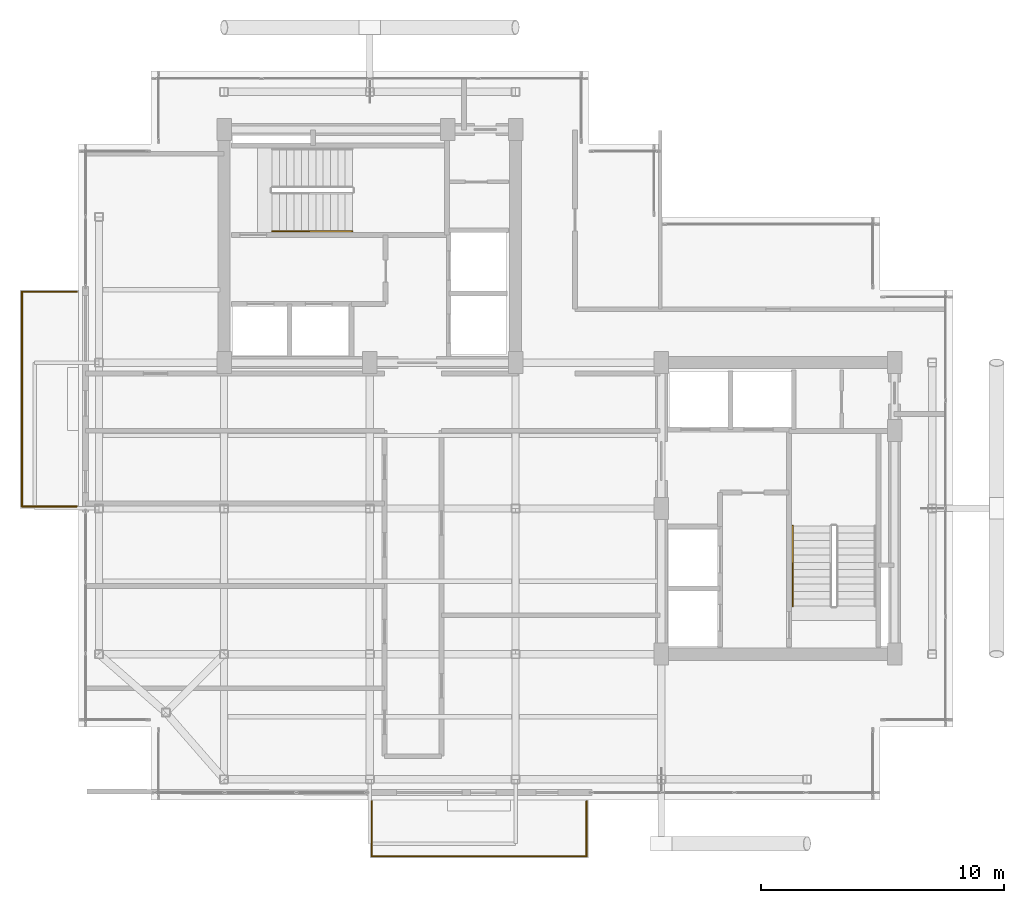
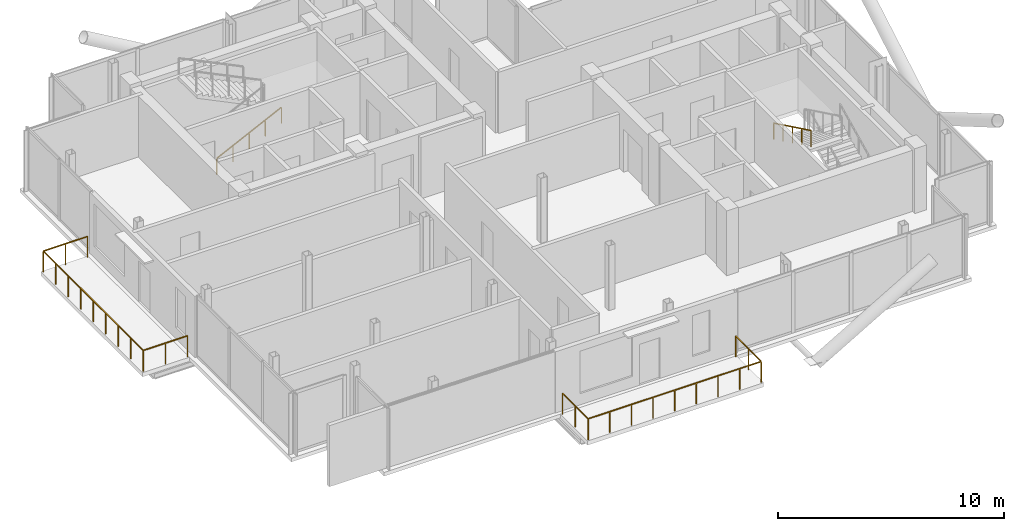
# One storey, part 17 of 18: 4 railings.
"""IFC4 building model written with IfcOpenShell, lengths in metres."""

from ifc_helpers import new_model, si_unit, direction, frame, origin, origin_2d, place, context, subcontext, project, spatial, rectangle, extrude, material, type_object, element, save


model = new_model("IFC4")

# Units and contexts
model_context = context("Model", 3, precision=1e-05, world=origin(), true_north=direction((0.0, 1.0)))
body_context = subcontext(model_context, "Body", "Model", "MODEL_VIEW")
ifc_project = project(units=[si_unit("LENGTHUNIT", "METRE"), si_unit("AREAUNIT", "SQUARE_METRE"), si_unit("VOLUMEUNIT", "CUBIC_METRE"), si_unit("PLANEANGLEUNIT", "RADIAN"), si_unit("MASSUNIT", "GRAM", prefix="KILO"), si_unit("THERMODYNAMICTEMPERATUREUNIT", "KELVIN"), si_unit("POWERUNIT", "WATT")], contexts=[model_context])

# Site, building, storey
site_placement = place(None, origin())
site = spatial("IfcSite", under=ifc_project, at=site_placement, CompositionType="ELEMENT")
building_placement = place(site_placement, origin())
building = spatial("IfcBuilding", under=site, at=building_placement, Name="Svarakhadi Broadcast Tower", CompositionType="ELEMENT")
storey_placement = place(building_placement, frame((0.0, 0.0, 281.699951171875)))
storey = spatial("IfcBuildingStorey", under=building, at=storey_placement, Name="L71", CompositionType="ELEMENT", Elevation=281.699951171875)

# Railings
ifc_material_1 = material(Name="Laminated Structural SentryGlas Balustrade 25.5 mm", Category="glass")
railing_type_1 = type_object("IfcRailingType", Name="Guard_Balcony_GR01", PredefinedType="BALUSTRADE", material=ifc_material_1)
railing_1_placement = place(storey_placement, frame((12.080078125, -0.06005859375, 0.0)))
element("IfcRailing", 1, at=railing_1_placement, inside=storey, type_object=railing_type_1, Name="L71 South Tree Balcony Guard GR-05", PredefinedType="BALUSTRADE", context=body_context, shape_type="SweptSolid", body=[
    extrude(rectangle(XDim=0.048095703125, YDim=0.048095703125, at=origin_2d()), frame((0.0, 0.0, 1.1259765625), z_axis=(0.0, -1.0, 0.0), x_axis=(1.0, 0.0, 0.0)), (0.0, 0.0, 1.0), 2.260009765625),
    extrude(rectangle(XDim=0.048095703125, YDim=0.048095703125, at=origin_2d()), frame((0.0, -2.260009765625, 1.1259765625), z_axis=(1.0, 0.0, 0.0), x_axis=(0.0, 1.0, 0.0)), (0.0, 0.0, 1.0), 8.83984375),
    extrude(rectangle(XDim=0.048095703125, YDim=0.048095703125, at=origin_2d()), frame((8.83984375, -2.260009765625, 1.1259765625), z_axis=(0.0, 1.0, 0.0), x_axis=(-1.0, 0.0, 0.0)), (0.0, 0.0, 1.0), 2.260009765625),
    extrude(rectangle(XDim=0.0419921875, YDim=0.0419921875, at=origin_2d()), origin(), (0.0, 0.0, 1.0), 1.101806640625),
    extrude(rectangle(XDim=0.0419921875, YDim=0.0419921875, at=origin_2d()), frame((0.0, -1.1298828125, 0.0)), (0.0, 0.0, 1.0), 1.101806640625),
    extrude(rectangle(XDim=0.0419921875, YDim=0.0419921875, at=origin_2d()), frame((0.0, -2.260009765625, 0.0)), (0.0, 0.0, 1.0), 1.101806640625),
    extrude(rectangle(XDim=0.0419921875, YDim=0.0419921875, at=origin_2d()), frame((1.10498046875, -2.260009765625, 0.0)), (0.0, 0.0, 1.0), 1.101806640625),
    extrude(rectangle(XDim=0.0419921875, YDim=0.0419921875, at=origin_2d()), frame((2.2099609375, -2.260009765625, 0.0)), (0.0, 0.0, 1.0), 1.101806640625),
    extrude(rectangle(XDim=0.0419921875, YDim=0.0419921875, at=origin_2d()), frame((3.31494140625, -2.260009765625, 0.0)), (0.0, 0.0, 1.0), 1.101806640625),
    extrude(rectangle(XDim=0.0419921875, YDim=0.0419921875, at=origin_2d()), frame((4.419921875, -2.260009765625, 0.0)), (0.0, 0.0, 1.0), 1.101806640625),
    extrude(rectangle(XDim=0.0419921875, YDim=0.0419921875, at=origin_2d()), frame((5.52490234375, -2.260009765625, 0.0)), (0.0, 0.0, 1.0), 1.101806640625),
    extrude(rectangle(XDim=0.0419921875, YDim=0.0419921875, at=origin_2d()), frame((6.6298828125, -2.260009765625, 0.0)), (0.0, 0.0, 1.0), 1.101806640625),
    extrude(rectangle(XDim=0.0419921875, YDim=0.0419921875, at=origin_2d()), frame((7.73486328125, -2.260009765625, 0.0)), (0.0, 0.0, 1.0), 1.101806640625),
    extrude(rectangle(XDim=0.0419921875, YDim=0.0419921875, at=origin_2d()), frame((8.83984375, -2.260009765625, 0.0)), (0.0, 0.0, 1.0), 1.101806640625),
    extrude(rectangle(XDim=0.0419921875, YDim=0.0419921875, at=origin_2d()), frame((8.83984375, -1.1298828125, 0.0)), (0.0, 0.0, 1.0), 1.101806640625),
    extrude(rectangle(XDim=0.0419921875, YDim=0.0419921875, at=origin_2d()), frame((8.83984375, 0.0, 0.0)), (0.0, 0.0, 1.0), 1.101806640625),
])
railing_2_placement = place(storey_placement, frame((-0.06005859375, 12.080078125, 0.0)))
element("IfcRailing", 2, at=railing_2_placement, inside=storey, type_object=railing_type_1, Name="L71 West Tree Balcony Guard GR-05", PredefinedType="BALUSTRADE", context=body_context, shape_type="SweptSolid", body=[
    extrude(rectangle(XDim=0.048095703125, YDim=0.048095703125, at=origin_2d()), frame((0.0, 0.0, 1.1259765625), z_axis=(-1.0, 0.0, 0.0), x_axis=(0.0, -1.0, 0.0)), (0.0, 0.0, 1.0), 2.260009765625),
    extrude(rectangle(XDim=0.048095703125, YDim=0.048095703125, at=origin_2d()), frame((-2.260009765625, 0.0, 1.1259765625), z_axis=(0.0, 1.0, 0.0), x_axis=(-1.0, 0.0, 0.0)), (0.0, 0.0, 1.0), 8.83984375),
    extrude(rectangle(XDim=0.048095703125, YDim=0.048095703125, at=origin_2d()), frame((-2.260009765625, 8.83984375, 1.1259765625), z_axis=(1.0, 0.0, 0.0), x_axis=(0.0, 1.0, 0.0)), (0.0, 0.0, 1.0), 2.260009765625),
    extrude(rectangle(XDim=0.0419921875, YDim=0.0419921875, at=origin_2d()), origin(), (0.0, 0.0, 1.0), 1.101806640625),
    extrude(rectangle(XDim=0.0419921875, YDim=0.0419921875, at=origin_2d()), frame((-1.1298828125, 0.0, 0.0)), (0.0, 0.0, 1.0), 1.101806640625),
    extrude(rectangle(XDim=0.0419921875, YDim=0.0419921875, at=origin_2d()), frame((-2.260009765625, 0.0, 0.0)), (0.0, 0.0, 1.0), 1.101806640625),
    extrude(rectangle(XDim=0.0419921875, YDim=0.0419921875, at=origin_2d()), frame((-2.260009765625, 1.10498046875, 0.0)), (0.0, 0.0, 1.0), 1.101806640625),
    extrude(rectangle(XDim=0.0419921875, YDim=0.0419921875, at=origin_2d()), frame((-2.260009765625, 2.2099609375, 0.0)), (0.0, 0.0, 1.0), 1.101806640625),
    extrude(rectangle(XDim=0.0419921875, YDim=0.0419921875, at=origin_2d()), frame((-2.260009765625, 3.31494140625, 0.0)), (0.0, 0.0, 1.0), 1.101806640625),
    extrude(rectangle(XDim=0.0419921875, YDim=0.0419921875, at=origin_2d()), frame((-2.260009765625, 4.419921875, 0.0)), (0.0, 0.0, 1.0), 1.101806640625),
    extrude(rectangle(XDim=0.0419921875, YDim=0.0419921875, at=origin_2d()), frame((-2.260009765625, 5.52490234375, 0.0)), (0.0, 0.0, 1.0), 1.101806640625),
    extrude(rectangle(XDim=0.0419921875, YDim=0.0419921875, at=origin_2d()), frame((-2.260009765625, 6.6298828125, 0.0)), (0.0, 0.0, 1.0), 1.101806640625),
    extrude(rectangle(XDim=0.0419921875, YDim=0.0419921875, at=origin_2d()), frame((-2.260009765625, 7.73486328125, 0.0)), (0.0, 0.0, 1.0), 1.101806640625),
    extrude(rectangle(XDim=0.0419921875, YDim=0.0419921875, at=origin_2d()), frame((-2.260009765625, 8.83984375, 0.0)), (0.0, 0.0, 1.0), 1.101806640625),
    extrude(rectangle(XDim=0.0419921875, YDim=0.0419921875, at=origin_2d()), frame((-1.1298828125, 8.83984375, 0.0)), (0.0, 0.0, 1.0), 1.101806640625),
    extrude(rectangle(XDim=0.0419921875, YDim=0.0419921875, at=origin_2d()), frame((0.0, 8.83984375, 0.0)), (0.0, 0.0, 1.0), 1.101806640625),
])
ifc_material_2 = material(Name="Anodised Bronze Aluminium AA 6063-T6", Category="aluminium")
railing_type_2 = type_object("IfcRailingType", Name="Handrail_Stair_HR01", PredefinedType="HANDRAIL", material=ifc_material_2)
railing_3_placement = place(storey_placement, frame((7.97998046875, 23.409912109375, 0.14599609375)))
element("IfcRailing", 3, at=railing_3_placement, inside=storey, type_object=railing_type_2, Name="L71 ST-01 stair handrail 1", PredefinedType="HANDRAIL", context=body_context, shape_type="SweptSolid", body=[
    extrude(rectangle(XDim=0.048095703125, YDim=0.048095703125, at=origin_2d()), frame((0.0, 0.0, 0.8759765625), z_axis=(0.899387838337, 0.0, 0.437151594131), x_axis=(0.0, 1.0, 0.0)), (0.0, 0.0, 1.0), 3.669189453125),
    extrude(rectangle(XDim=0.0419921875, YDim=0.0419921875, at=origin_2d()), origin(), (0.0, 0.0, 1.0), 0.851806640625),
    extrude(rectangle(XDim=0.0419921875, YDim=0.0419921875, at=origin_2d()), frame((0.824951171875, 0.0, 0.40087890625)), (0.0, 0.0, 1.0), 0.851806640625),
    extrude(rectangle(XDim=0.0419921875, YDim=0.0419921875, at=origin_2d()), frame((1.64990234375, 0.0, 0.802001953125)), (0.0, 0.0, 1.0), 0.851806640625),
    extrude(rectangle(XDim=0.0419921875, YDim=0.0419921875, at=origin_2d()), frame((2.47509765625, 0.0, 1.203125)), (0.0, 0.0, 1.0), 0.851806640625),
    extrude(rectangle(XDim=0.0419921875, YDim=0.0419921875, at=origin_2d()), frame((3.300048828125, 0.0, 1.60400390625)), (0.0, 0.0, 1.0), 0.851806640625),
])
railing_4_placement = place(storey_placement, frame((29.409912109375, 11.280029296875, 1.89599609375)))
element("IfcRailing", 4, at=railing_4_placement, inside=storey, type_object=railing_type_2, Name="L71 ST-02 stair handrail 2", PredefinedType="HANDRAIL", context=body_context, shape_type="SweptSolid", body=[
    extrude(rectangle(XDim=0.048095703125, YDim=0.048095703125, at=origin_2d()), frame((0.0, 0.0, 0.8759765625), z_axis=(0.0, -0.899387838337, 0.437151594131), x_axis=(1.0, 0.0, 0.0)), (0.0, 0.0, 1.0), 3.669189453125),
    extrude(rectangle(XDim=0.0419921875, YDim=0.0419921875, at=origin_2d()), origin(), (0.0, 0.0, 1.0), 0.851806640625),
    extrude(rectangle(XDim=0.0419921875, YDim=0.0419921875, at=origin_2d()), frame((0.0, -0.824951171875, 0.40087890625)), (0.0, 0.0, 1.0), 0.851806640625),
    extrude(rectangle(XDim=0.0419921875, YDim=0.0419921875, at=origin_2d()), frame((0.0, -1.64990234375, 0.802001953125)), (0.0, 0.0, 1.0), 0.851806640625),
    extrude(rectangle(XDim=0.0419921875, YDim=0.0419921875, at=origin_2d()), frame((0.0, -2.47509765625, 1.203125)), (0.0, 0.0, 1.0), 0.851806640625),
    extrude(rectangle(XDim=0.0419921875, YDim=0.0419921875, at=origin_2d()), frame((0.0, -3.300048828125, 1.60400390625)), (0.0, 0.0, 1.0), 0.851806640625),
])

save(model, "model.ifc")
